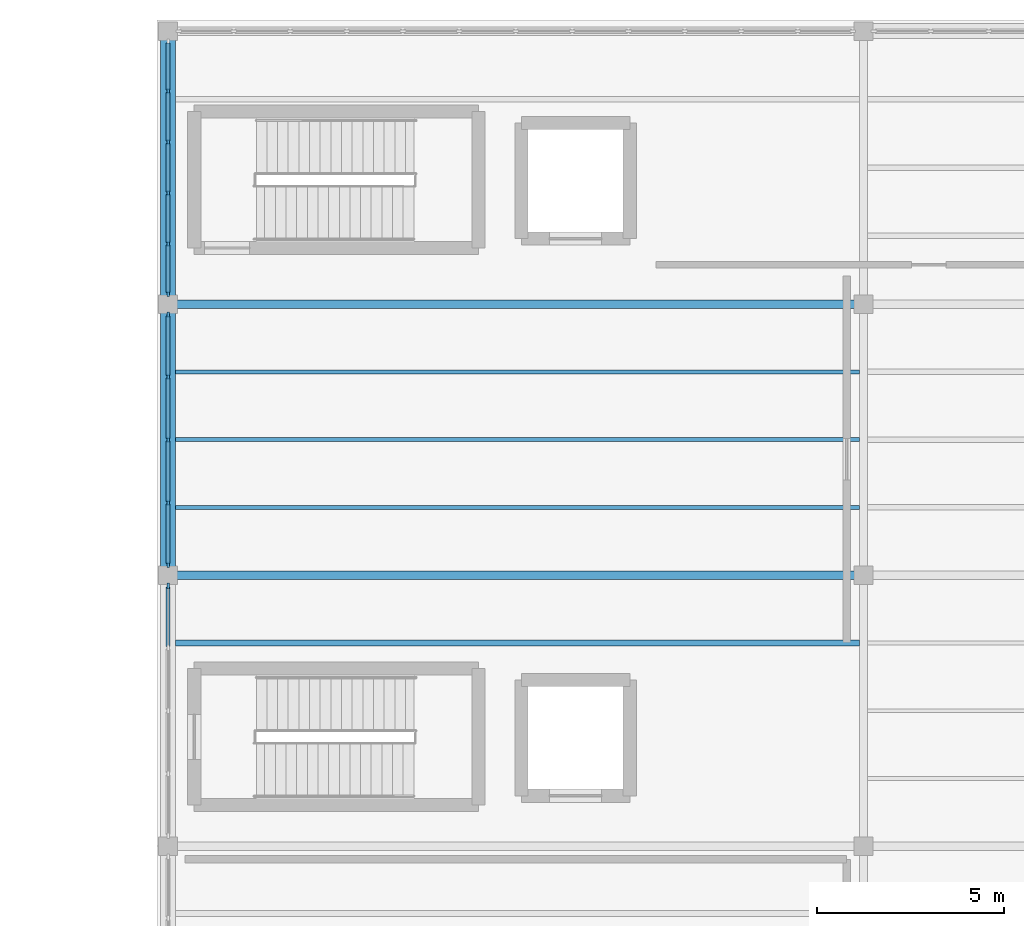
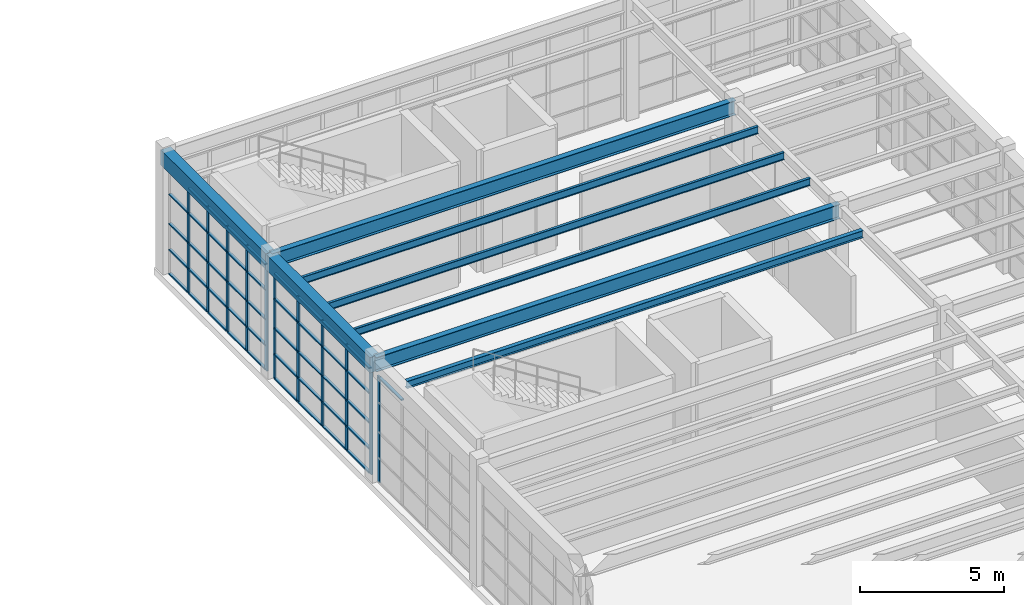
# One storey, part 57 of 103: 56 members, 8 beams, 3 elements without a shape of their own.
"""IFC4 building model written with IfcOpenShell, lengths in metres."""

from ifc_helpers import new_model, si_unit, direction, frame, origin, origin_2d, place, context, subcontext, project, spatial, rectangle, i_section, extrude, material, layer, layer_set, material_profile, profile_set, type_object, element, aggregate, save


model = new_model("IFC4")

# Units and contexts
model_context = context("Model", 3, precision=1e-05, world=origin(), true_north=direction((0.0, 1.0)))
body_context = subcontext(model_context, "Body", "Model", "MODEL_VIEW")
ifc_project = project(units=[si_unit("LENGTHUNIT", "METRE"), si_unit("AREAUNIT", "SQUARE_METRE"), si_unit("VOLUMEUNIT", "CUBIC_METRE"), si_unit("PLANEANGLEUNIT", "RADIAN"), si_unit("MASSUNIT", "GRAM", prefix="KILO")], contexts=[model_context])

# Site, building, storey
site_placement = place(None, origin())
site = spatial("IfcSite", under=ifc_project, at=site_placement, CompositionType="ELEMENT")
building_placement = place(site_placement, origin())
building = spatial("IfcBuilding", under=site, at=building_placement, Name="Candilejo Ridge Gondola Terminal", CompositionType="ELEMENT")
storey_placement = place(building_placement, frame((0.0, 0.0, 9.0)))
storey = spatial("IfcBuildingStorey", under=building, at=storey_placement, Name="L02", CompositionType="ELEMENT", Elevation=9.0)

# Curtain wall, member
ifc_material_1 = material(Name="Anodised aluminium AA 6063-T6", Category="aluminium")
ifc_layer_1 = layer(ifc_material_1, 0.169921875)
ifc_layer_set_1 = layer_set([ifc_layer_1], Name="ARC-CW-TOWER-3000-675X449")
curtain_wall_type_1 = type_object("IfcCurtainWallType", Name="ARC-CW-TOWER-3000-675X449", PredefinedType="NOTDEFINED", material=ifc_layer_set_1)
curtain_wall_1_placement = place(storey_placement, origin())
curtain_wall_1 = element("IfcCurtainWall", 1, at=curtain_wall_1_placement, inside=storey, type_object=curtain_wall_type_1, Name="Curtain wall V5 L02-186", PredefinedType="NOTDEFINED")
ifc_material_2 = material(Name="Anodised aluminium AA 6063-T6", Category="aluminium")
ifc_material_profile_1 = material_profile(ifc_material_2, rectangle(XDim=0.06494140625, YDim=0.14990234375, at=origin_2d()))
ifc_profile_set_1 = profile_set([ifc_material_profile_1], Name="Anodised aluminium AA 6063-T6")
member_type_1 = type_object("IfcMemberType", Name="ARC-CW-MULLION-150", PredefinedType="MULLION", material=ifc_profile_set_1)
member_1_placement = place(storey_placement, frame((150.0, 106.017578125, 0.0), z_axis=(0.0, 0.0, 1.0), x_axis=(-1.0, 0.0, 0.0)))
member_1 = element("IfcMember", 2, at=member_1_placement, type_object=member_type_1, Name="CW-67X44 mullion 5", PredefinedType="MULLION", context=body_context, shape_type="SweptSolid", body=[
    extrude(rectangle(XDim=0.06494140625, YDim=0.14990234375, at=origin_2d()), origin(), (0.0, 0.0, 1.0), 4.489990234375),
])

# Curtain wall, members
curtain_wall_2_placement = place(storey_placement, origin())
curtain_wall_2 = element("IfcCurtainWall", 3, at=curtain_wall_2_placement, inside=storey, type_object=curtain_wall_type_1, Name="Curtain wall V5 L02-188", PredefinedType="NOTDEFINED")
member_2_placement = place(storey_placement, frame((150.0, 106.58251953125, 0.0), z_axis=(0.0, 0.0, 1.0), x_axis=(-1.0, 0.0, 0.0)))
member_2 = element("IfcMember", 4, at=member_2_placement, type_object=member_type_1, Name="CW-67X44 mullion 1", PredefinedType="MULLION", context=body_context, shape_type="SweptSolid", body=[
    extrude(rectangle(XDim=0.06494140625, YDim=0.14990234375, at=origin_2d()), origin(), (0.0, 0.0, 1.0), 4.489990234375),
])
member_3_placement = place(storey_placement, frame((150.0, 108.237548828125, 0.0), z_axis=(0.0, 0.0, 1.0), x_axis=(-1.0, 0.0, 0.0)))
member_3 = element("IfcMember", 5, at=member_3_placement, type_object=member_type_1, Name="CW-67X44 mullion 2", PredefinedType="MULLION", context=body_context, shape_type="SweptSolid", body=[
    extrude(rectangle(XDim=0.06494140625, YDim=0.14990234375, at=origin_2d()), origin(), (0.0, 0.0, 1.0), 4.489990234375),
])
member_4_placement = place(storey_placement, frame((150.0, 109.925048828125, 0.0), z_axis=(0.0, 0.0, 1.0), x_axis=(-1.0, 0.0, 0.0)))
member_4 = element("IfcMember", 6, at=member_4_placement, type_object=member_type_1, Name="CW-67X44 mullion 3", PredefinedType="MULLION", context=body_context, shape_type="SweptSolid", body=[
    extrude(rectangle(XDim=0.06494140625, YDim=0.14990234375, at=origin_2d()), origin(), (0.0, 0.0, 1.0), 4.489990234375),
])
member_5_placement = place(storey_placement, frame((150.0, 111.612548828125, 0.0), z_axis=(0.0, 0.0, 1.0), x_axis=(-1.0, 0.0, 0.0)))
member_5 = element("IfcMember", 7, at=member_5_placement, type_object=member_type_1, Name="CW-67X44 mullion 4", PredefinedType="MULLION", context=body_context, shape_type="SweptSolid", body=[
    extrude(rectangle(XDim=0.06494140625, YDim=0.14990234375, at=origin_2d()), origin(), (0.0, 0.0, 1.0), 4.489990234375),
])
member_6_placement = place(storey_placement, frame((150.0, 113.267578125, 0.0), z_axis=(0.0, 0.0, 1.0), x_axis=(-1.0, 0.0, 0.0)))
member_6 = element("IfcMember", 8, at=member_6_placement, type_object=member_type_1, Name="CW-67X44 mullion 5", PredefinedType="MULLION", context=body_context, shape_type="SweptSolid", body=[
    extrude(rectangle(XDim=0.06494140625, YDim=0.14990234375, at=origin_2d()), origin(), (0.0, 0.0, 1.0), 4.489990234375),
])

ifc_material_3 = material(Name="Anodised aluminium AA 6063-T6", Category="aluminium")
ifc_layer_2 = layer(ifc_material_3, 0.169921875)
ifc_layer_set_2 = layer_set([ifc_layer_2], Name="ARC-CW-TOWER-3000-680X449")
curtain_wall_type_2 = type_object("IfcCurtainWallType", Name="ARC-CW-TOWER-3000-680X449", PredefinedType="NOTDEFINED", material=ifc_layer_set_2)
curtain_wall_3_placement = place(storey_placement, origin())
curtain_wall_3 = element("IfcCurtainWall", 9, at=curtain_wall_3_placement, inside=storey, type_object=curtain_wall_type_2, Name="Curtain wall V5 L02-190", PredefinedType="NOTDEFINED")
member_7_placement = place(storey_placement, frame((150.0, 113.83251953125, 0.0), z_axis=(0.0, 0.0, 1.0), x_axis=(-1.0, 0.0, 0.0)))
member_7 = element("IfcMember", 10, at=member_7_placement, type_object=member_type_1, Name="CW-68X44 mullion 1", PredefinedType="MULLION", context=body_context, shape_type="SweptSolid", body=[
    extrude(rectangle(XDim=0.06494140625, YDim=0.14990234375, at=origin_2d()), origin(), (0.0, 0.0, 1.0), 4.489990234375),
])
member_8_placement = place(storey_placement, frame((150.0, 115.159912109375, 0.0), z_axis=(0.0, 0.0, 1.0), x_axis=(-1.0, 0.0, 0.0)))
member_8 = element("IfcMember", 11, at=member_8_placement, type_object=member_type_1, Name="CW-68X44 mullion 2", PredefinedType="MULLION", context=body_context, shape_type="SweptSolid", body=[
    extrude(rectangle(XDim=0.06494140625, YDim=0.14990234375, at=origin_2d()), origin(), (0.0, 0.0, 1.0), 4.489990234375),
])
member_9_placement = place(storey_placement, frame((150.0, 116.52001953125, 0.0), z_axis=(0.0, 0.0, 1.0), x_axis=(-1.0, 0.0, 0.0)))
member_9 = element("IfcMember", 12, at=member_9_placement, type_object=member_type_1, Name="CW-68X44 mullion 3", PredefinedType="MULLION", context=body_context, shape_type="SweptSolid", body=[
    extrude(rectangle(XDim=0.06494140625, YDim=0.14990234375, at=origin_2d()), origin(), (0.0, 0.0, 1.0), 4.489990234375),
])
member_10_placement = place(storey_placement, frame((150.0, 117.8798828125, 0.0), z_axis=(0.0, 0.0, 1.0), x_axis=(-1.0, 0.0, 0.0)))
member_10 = element("IfcMember", 13, at=member_10_placement, type_object=member_type_1, Name="CW-68X44 mullion 4", PredefinedType="MULLION", context=body_context, shape_type="SweptSolid", body=[
    extrude(rectangle(XDim=0.06494140625, YDim=0.14990234375, at=origin_2d()), origin(), (0.0, 0.0, 1.0), 4.489990234375),
])
member_11_placement = place(storey_placement, frame((150.0, 119.239990234375, 0.0), z_axis=(0.0, 0.0, 1.0), x_axis=(-1.0, 0.0, 0.0)))
member_11 = element("IfcMember", 14, at=member_11_placement, type_object=member_type_1, Name="CW-68X44 mullion 5", PredefinedType="MULLION", context=body_context, shape_type="SweptSolid", body=[
    extrude(rectangle(XDim=0.06494140625, YDim=0.14990234375, at=origin_2d()), origin(), (0.0, 0.0, 1.0), 4.489990234375),
])

# Member
ifc_material_4 = material(Name="Anodised aluminium AA 6063-T6", Category="aluminium")
ifc_material_profile_2 = material_profile(ifc_material_4, rectangle(XDim=0.110107421875, YDim=0.06005859375, at=origin_2d()))
ifc_profile_set_2 = profile_set([ifc_material_profile_2], Name="Anodised aluminium AA 6063-T6")
member_type_2 = type_object("IfcMemberType", Name="ARC-CW-TRANSOM-110", PredefinedType="USERDEFINED", material=ifc_profile_set_2)
member_12_placement = place(storey_placement, frame((150.0, 104.39501953125, 4.4599609375), z_axis=(0.0, 1.0, 0.0), x_axis=(-1.0, 0.0, 0.0)))
member_12 = element("IfcMember", 15, at=member_12_placement, type_object=member_type_2, Name="CW-67X44 transom 4.5", ObjectType="TRANSOM", PredefinedType="USERDEFINED", context=body_context, shape_type="SweptSolid", body=[
    extrude(rectangle(XDim=0.110107421875, YDim=0.06005859375, at=origin_2d()), origin(), (0.0, 0.0, 1.0), 1.590087890625),
])

aggregate(curtain_wall_1, [member_1, member_12])

member_13_placement = place(storey_placement, frame((150.0, 106.614990234375, 0.030029296875), z_axis=(0.0, 1.0, 0.0), x_axis=(-1.0, 0.0, 0.0)))
member_13 = element("IfcMember", 16, at=member_13_placement, type_object=member_type_2, Name="CW-67X44 transom 1.1", ObjectType="TRANSOM", PredefinedType="USERDEFINED", context=body_context, shape_type="SweptSolid", body=[
    extrude(rectangle(XDim=0.110107421875, YDim=0.06005859375, at=origin_2d()), origin(), (0.0, 0.0, 1.0), 1.590087890625),
])

member_14_placement = place(storey_placement, frame((150.0, 106.614990234375, 1.050048828125), z_axis=(0.0, 1.0, 0.0), x_axis=(-1.0, 0.0, 0.0)))
member_14 = element("IfcMember", 17, at=member_14_placement, type_object=member_type_2, Name="CW-67X44 transom 1.2", ObjectType="TRANSOM", PredefinedType="USERDEFINED", context=body_context, shape_type="SweptSolid", body=[
    extrude(rectangle(XDim=0.110107421875, YDim=0.06005859375, at=origin_2d()), origin(), (0.0, 0.0, 1.0), 1.590087890625),
])

member_15_placement = place(storey_placement, frame((150.0, 106.614990234375, 2.14990234375), z_axis=(0.0, 1.0, 0.0), x_axis=(-1.0, 0.0, 0.0)))
member_15 = element("IfcMember", 18, at=member_15_placement, type_object=member_type_2, Name="CW-67X44 transom 1.3", ObjectType="TRANSOM", PredefinedType="USERDEFINED", context=body_context, shape_type="SweptSolid", body=[
    extrude(rectangle(XDim=0.110107421875, YDim=0.06005859375, at=origin_2d()), origin(), (0.0, 0.0, 1.0), 1.590087890625),
])

member_16_placement = place(storey_placement, frame((150.0, 106.614990234375, 3.39990234375), z_axis=(0.0, 1.0, 0.0), x_axis=(-1.0, 0.0, 0.0)))
member_16 = element("IfcMember", 19, at=member_16_placement, type_object=member_type_2, Name="CW-67X44 transom 1.4", ObjectType="TRANSOM", PredefinedType="USERDEFINED", context=body_context, shape_type="SweptSolid", body=[
    extrude(rectangle(XDim=0.110107421875, YDim=0.06005859375, at=origin_2d()), origin(), (0.0, 0.0, 1.0), 1.590087890625),
])

member_17_placement = place(storey_placement, frame((150.0, 106.614990234375, 4.4599609375), z_axis=(0.0, 1.0, 0.0), x_axis=(-1.0, 0.0, 0.0)))
member_17 = element("IfcMember", 20, at=member_17_placement, type_object=member_type_2, Name="CW-67X44 transom 1.5", ObjectType="TRANSOM", PredefinedType="USERDEFINED", context=body_context, shape_type="SweptSolid", body=[
    extrude(rectangle(XDim=0.110107421875, YDim=0.06005859375, at=origin_2d()), origin(), (0.0, 0.0, 1.0), 1.590087890625),
])

member_18_placement = place(storey_placement, frame((150.0, 108.27001953125, 0.030029296875), z_axis=(0.0, 1.0, 0.0), x_axis=(-1.0, 0.0, 0.0)))
member_18 = element("IfcMember", 21, at=member_18_placement, type_object=member_type_2, Name="CW-67X44 transom 2.1", ObjectType="TRANSOM", PredefinedType="USERDEFINED", context=body_context, shape_type="SweptSolid", body=[
    extrude(rectangle(XDim=0.110107421875, YDim=0.06005859375, at=origin_2d()), origin(), (0.0, 0.0, 1.0), 1.62255859375),
])

member_19_placement = place(storey_placement, frame((150.0, 108.27001953125, 1.050048828125), z_axis=(0.0, 1.0, 0.0), x_axis=(-1.0, 0.0, 0.0)))
member_19 = element("IfcMember", 22, at=member_19_placement, type_object=member_type_2, Name="CW-67X44 transom 2.2", ObjectType="TRANSOM", PredefinedType="USERDEFINED", context=body_context, shape_type="SweptSolid", body=[
    extrude(rectangle(XDim=0.110107421875, YDim=0.06005859375, at=origin_2d()), origin(), (0.0, 0.0, 1.0), 1.62255859375),
])

member_20_placement = place(storey_placement, frame((150.0, 108.27001953125, 2.14990234375), z_axis=(0.0, 1.0, 0.0), x_axis=(-1.0, 0.0, 0.0)))
member_20 = element("IfcMember", 23, at=member_20_placement, type_object=member_type_2, Name="CW-67X44 transom 2.3", ObjectType="TRANSOM", PredefinedType="USERDEFINED", context=body_context, shape_type="SweptSolid", body=[
    extrude(rectangle(XDim=0.110107421875, YDim=0.06005859375, at=origin_2d()), origin(), (0.0, 0.0, 1.0), 1.62255859375),
])

member_21_placement = place(storey_placement, frame((150.0, 108.27001953125, 3.39990234375), z_axis=(0.0, 1.0, 0.0), x_axis=(-1.0, 0.0, 0.0)))
member_21 = element("IfcMember", 24, at=member_21_placement, type_object=member_type_2, Name="CW-67X44 transom 2.4", ObjectType="TRANSOM", PredefinedType="USERDEFINED", context=body_context, shape_type="SweptSolid", body=[
    extrude(rectangle(XDim=0.110107421875, YDim=0.06005859375, at=origin_2d()), origin(), (0.0, 0.0, 1.0), 1.62255859375),
])

member_22_placement = place(storey_placement, frame((150.0, 108.27001953125, 4.4599609375), z_axis=(0.0, 1.0, 0.0), x_axis=(-1.0, 0.0, 0.0)))
member_22 = element("IfcMember", 25, at=member_22_placement, type_object=member_type_2, Name="CW-67X44 transom 2.5", ObjectType="TRANSOM", PredefinedType="USERDEFINED", context=body_context, shape_type="SweptSolid", body=[
    extrude(rectangle(XDim=0.110107421875, YDim=0.06005859375, at=origin_2d()), origin(), (0.0, 0.0, 1.0), 1.62255859375),
])

member_23_placement = place(storey_placement, frame((150.0, 109.95751953125, 0.030029296875), z_axis=(0.0, 1.0, 0.0), x_axis=(-1.0, 0.0, 0.0)))
member_23 = element("IfcMember", 26, at=member_23_placement, type_object=member_type_2, Name="CW-67X44 transom 3.1", ObjectType="TRANSOM", PredefinedType="USERDEFINED", context=body_context, shape_type="SweptSolid", body=[
    extrude(rectangle(XDim=0.110107421875, YDim=0.06005859375, at=origin_2d()), origin(), (0.0, 0.0, 1.0), 1.62255859375),
])

member_24_placement = place(storey_placement, frame((150.0, 109.95751953125, 1.050048828125), z_axis=(0.0, 1.0, 0.0), x_axis=(-1.0, 0.0, 0.0)))
member_24 = element("IfcMember", 27, at=member_24_placement, type_object=member_type_2, Name="CW-67X44 transom 3.2", ObjectType="TRANSOM", PredefinedType="USERDEFINED", context=body_context, shape_type="SweptSolid", body=[
    extrude(rectangle(XDim=0.110107421875, YDim=0.06005859375, at=origin_2d()), origin(), (0.0, 0.0, 1.0), 1.62255859375),
])

member_25_placement = place(storey_placement, frame((150.0, 109.95751953125, 2.14990234375), z_axis=(0.0, 1.0, 0.0), x_axis=(-1.0, 0.0, 0.0)))
member_25 = element("IfcMember", 28, at=member_25_placement, type_object=member_type_2, Name="CW-67X44 transom 3.3", ObjectType="TRANSOM", PredefinedType="USERDEFINED", context=body_context, shape_type="SweptSolid", body=[
    extrude(rectangle(XDim=0.110107421875, YDim=0.06005859375, at=origin_2d()), origin(), (0.0, 0.0, 1.0), 1.62255859375),
])

member_26_placement = place(storey_placement, frame((150.0, 109.95751953125, 3.39990234375), z_axis=(0.0, 1.0, 0.0), x_axis=(-1.0, 0.0, 0.0)))
member_26 = element("IfcMember", 29, at=member_26_placement, type_object=member_type_2, Name="CW-67X44 transom 3.4", ObjectType="TRANSOM", PredefinedType="USERDEFINED", context=body_context, shape_type="SweptSolid", body=[
    extrude(rectangle(XDim=0.110107421875, YDim=0.06005859375, at=origin_2d()), origin(), (0.0, 0.0, 1.0), 1.62255859375),
])

member_27_placement = place(storey_placement, frame((150.0, 109.95751953125, 4.4599609375), z_axis=(0.0, 1.0, 0.0), x_axis=(-1.0, 0.0, 0.0)))
member_27 = element("IfcMember", 30, at=member_27_placement, type_object=member_type_2, Name="CW-67X44 transom 3.5", ObjectType="TRANSOM", PredefinedType="USERDEFINED", context=body_context, shape_type="SweptSolid", body=[
    extrude(rectangle(XDim=0.110107421875, YDim=0.06005859375, at=origin_2d()), origin(), (0.0, 0.0, 1.0), 1.62255859375),
])

member_28_placement = place(storey_placement, frame((150.0, 111.64501953125, 0.030029296875), z_axis=(0.0, 1.0, 0.0), x_axis=(-1.0, 0.0, 0.0)))
member_28 = element("IfcMember", 31, at=member_28_placement, type_object=member_type_2, Name="CW-67X44 transom 4.1", ObjectType="TRANSOM", PredefinedType="USERDEFINED", context=body_context, shape_type="SweptSolid", body=[
    extrude(rectangle(XDim=0.110107421875, YDim=0.06005859375, at=origin_2d()), origin(), (0.0, 0.0, 1.0), 1.590087890625),
])

member_29_placement = place(storey_placement, frame((150.0, 111.64501953125, 1.050048828125), z_axis=(0.0, 1.0, 0.0), x_axis=(-1.0, 0.0, 0.0)))
member_29 = element("IfcMember", 32, at=member_29_placement, type_object=member_type_2, Name="CW-67X44 transom 4.2", ObjectType="TRANSOM", PredefinedType="USERDEFINED", context=body_context, shape_type="SweptSolid", body=[
    extrude(rectangle(XDim=0.110107421875, YDim=0.06005859375, at=origin_2d()), origin(), (0.0, 0.0, 1.0), 1.590087890625),
])

member_30_placement = place(storey_placement, frame((150.0, 111.64501953125, 2.14990234375), z_axis=(0.0, 1.0, 0.0), x_axis=(-1.0, 0.0, 0.0)))
member_30 = element("IfcMember", 33, at=member_30_placement, type_object=member_type_2, Name="CW-67X44 transom 4.3", ObjectType="TRANSOM", PredefinedType="USERDEFINED", context=body_context, shape_type="SweptSolid", body=[
    extrude(rectangle(XDim=0.110107421875, YDim=0.06005859375, at=origin_2d()), origin(), (0.0, 0.0, 1.0), 1.590087890625),
])

member_31_placement = place(storey_placement, frame((150.0, 111.64501953125, 3.39990234375), z_axis=(0.0, 1.0, 0.0), x_axis=(-1.0, 0.0, 0.0)))
member_31 = element("IfcMember", 34, at=member_31_placement, type_object=member_type_2, Name="CW-67X44 transom 4.4", ObjectType="TRANSOM", PredefinedType="USERDEFINED", context=body_context, shape_type="SweptSolid", body=[
    extrude(rectangle(XDim=0.110107421875, YDim=0.06005859375, at=origin_2d()), origin(), (0.0, 0.0, 1.0), 1.590087890625),
])

member_32_placement = place(storey_placement, frame((150.0, 111.64501953125, 4.4599609375), z_axis=(0.0, 1.0, 0.0), x_axis=(-1.0, 0.0, 0.0)))
member_32 = element("IfcMember", 35, at=member_32_placement, type_object=member_type_2, Name="CW-67X44 transom 4.5", ObjectType="TRANSOM", PredefinedType="USERDEFINED", context=body_context, shape_type="SweptSolid", body=[
    extrude(rectangle(XDim=0.110107421875, YDim=0.06005859375, at=origin_2d()), origin(), (0.0, 0.0, 1.0), 1.590087890625),
])

aggregate(curtain_wall_2, [member_2, member_3, member_4, member_5, member_6, member_13, member_14, member_15, member_16, member_17, member_18, member_19, member_20, member_21, member_22, member_23, member_24, member_25, member_26, member_27, member_28, member_29, member_30, member_31, member_32])

member_33_placement = place(storey_placement, frame((150.0, 113.864990234375, 0.030029296875), z_axis=(0.0, 1.0, 0.0), x_axis=(-1.0, 0.0, 0.0)))
member_33 = element("IfcMember", 36, at=member_33_placement, type_object=member_type_2, Name="CW-68X44 transom 1.1", ObjectType="TRANSOM", PredefinedType="USERDEFINED", context=body_context, shape_type="SweptSolid", body=[
    extrude(rectangle(XDim=0.110107421875, YDim=0.06005859375, at=origin_2d()), origin(), (0.0, 0.0, 1.0), 1.262451171875),
])

member_34_placement = place(storey_placement, frame((150.0, 113.864990234375, 1.050048828125), z_axis=(0.0, 1.0, 0.0), x_axis=(-1.0, 0.0, 0.0)))
member_34 = element("IfcMember", 37, at=member_34_placement, type_object=member_type_2, Name="CW-68X44 transom 1.2", ObjectType="TRANSOM", PredefinedType="USERDEFINED", context=body_context, shape_type="SweptSolid", body=[
    extrude(rectangle(XDim=0.110107421875, YDim=0.06005859375, at=origin_2d()), origin(), (0.0, 0.0, 1.0), 1.262451171875),
])

member_35_placement = place(storey_placement, frame((150.0, 113.864990234375, 2.14990234375), z_axis=(0.0, 1.0, 0.0), x_axis=(-1.0, 0.0, 0.0)))
member_35 = element("IfcMember", 38, at=member_35_placement, type_object=member_type_2, Name="CW-68X44 transom 1.3", ObjectType="TRANSOM", PredefinedType="USERDEFINED", context=body_context, shape_type="SweptSolid", body=[
    extrude(rectangle(XDim=0.110107421875, YDim=0.06005859375, at=origin_2d()), origin(), (0.0, 0.0, 1.0), 1.262451171875),
])

member_36_placement = place(storey_placement, frame((150.0, 113.864990234375, 3.39990234375), z_axis=(0.0, 1.0, 0.0), x_axis=(-1.0, 0.0, 0.0)))
member_36 = element("IfcMember", 39, at=member_36_placement, type_object=member_type_2, Name="CW-68X44 transom 1.4", ObjectType="TRANSOM", PredefinedType="USERDEFINED", context=body_context, shape_type="SweptSolid", body=[
    extrude(rectangle(XDim=0.110107421875, YDim=0.06005859375, at=origin_2d()), origin(), (0.0, 0.0, 1.0), 1.262451171875),
])

member_37_placement = place(storey_placement, frame((150.0, 113.864990234375, 4.4599609375), z_axis=(0.0, 1.0, 0.0), x_axis=(-1.0, 0.0, 0.0)))
member_37 = element("IfcMember", 40, at=member_37_placement, type_object=member_type_2, Name="CW-68X44 transom 1.5", ObjectType="TRANSOM", PredefinedType="USERDEFINED", context=body_context, shape_type="SweptSolid", body=[
    extrude(rectangle(XDim=0.110107421875, YDim=0.06005859375, at=origin_2d()), origin(), (0.0, 0.0, 1.0), 1.262451171875),
])

member_38_placement = place(storey_placement, frame((150.0, 115.1923828125, 0.030029296875), z_axis=(0.0, 1.0, 0.0), x_axis=(-1.0, 0.0, 0.0)))
member_38 = element("IfcMember", 41, at=member_38_placement, type_object=member_type_2, Name="CW-68X44 transom 2.1", ObjectType="TRANSOM", PredefinedType="USERDEFINED", context=body_context, shape_type="SweptSolid", body=[
    extrude(rectangle(XDim=0.110107421875, YDim=0.06005859375, at=origin_2d()), origin(), (0.0, 0.0, 1.0), 1.295166015625),
])

member_39_placement = place(storey_placement, frame((150.0, 115.1923828125, 1.050048828125), z_axis=(0.0, 1.0, 0.0), x_axis=(-1.0, 0.0, 0.0)))
member_39 = element("IfcMember", 42, at=member_39_placement, type_object=member_type_2, Name="CW-68X44 transom 2.2", ObjectType="TRANSOM", PredefinedType="USERDEFINED", context=body_context, shape_type="SweptSolid", body=[
    extrude(rectangle(XDim=0.110107421875, YDim=0.06005859375, at=origin_2d()), origin(), (0.0, 0.0, 1.0), 1.295166015625),
])

member_40_placement = place(storey_placement, frame((150.0, 115.1923828125, 2.14990234375), z_axis=(0.0, 1.0, 0.0), x_axis=(-1.0, 0.0, 0.0)))
member_40 = element("IfcMember", 43, at=member_40_placement, type_object=member_type_2, Name="CW-68X44 transom 2.3", ObjectType="TRANSOM", PredefinedType="USERDEFINED", context=body_context, shape_type="SweptSolid", body=[
    extrude(rectangle(XDim=0.110107421875, YDim=0.06005859375, at=origin_2d()), origin(), (0.0, 0.0, 1.0), 1.295166015625),
])

member_41_placement = place(storey_placement, frame((150.0, 115.1923828125, 3.39990234375), z_axis=(0.0, 1.0, 0.0), x_axis=(-1.0, 0.0, 0.0)))
member_41 = element("IfcMember", 44, at=member_41_placement, type_object=member_type_2, Name="CW-68X44 transom 2.4", ObjectType="TRANSOM", PredefinedType="USERDEFINED", context=body_context, shape_type="SweptSolid", body=[
    extrude(rectangle(XDim=0.110107421875, YDim=0.06005859375, at=origin_2d()), origin(), (0.0, 0.0, 1.0), 1.295166015625),
])

member_42_placement = place(storey_placement, frame((150.0, 115.1923828125, 4.4599609375), z_axis=(0.0, 1.0, 0.0), x_axis=(-1.0, 0.0, 0.0)))
member_42 = element("IfcMember", 45, at=member_42_placement, type_object=member_type_2, Name="CW-68X44 transom 2.5", ObjectType="TRANSOM", PredefinedType="USERDEFINED", context=body_context, shape_type="SweptSolid", body=[
    extrude(rectangle(XDim=0.110107421875, YDim=0.06005859375, at=origin_2d()), origin(), (0.0, 0.0, 1.0), 1.295166015625),
])

member_43_placement = place(storey_placement, frame((150.0, 116.552490234375, 0.030029296875), z_axis=(0.0, 1.0, 0.0), x_axis=(-1.0, 0.0, 0.0)))
member_43 = element("IfcMember", 46, at=member_43_placement, type_object=member_type_2, Name="CW-68X44 transom 3.1", ObjectType="TRANSOM", PredefinedType="USERDEFINED", context=body_context, shape_type="SweptSolid", body=[
    extrude(rectangle(XDim=0.110107421875, YDim=0.06005859375, at=origin_2d()), origin(), (0.0, 0.0, 1.0), 1.294921875),
])

member_44_placement = place(storey_placement, frame((150.0, 116.552490234375, 1.050048828125), z_axis=(0.0, 1.0, 0.0), x_axis=(-1.0, 0.0, 0.0)))
member_44 = element("IfcMember", 47, at=member_44_placement, type_object=member_type_2, Name="CW-68X44 transom 3.2", ObjectType="TRANSOM", PredefinedType="USERDEFINED", context=body_context, shape_type="SweptSolid", body=[
    extrude(rectangle(XDim=0.110107421875, YDim=0.06005859375, at=origin_2d()), origin(), (0.0, 0.0, 1.0), 1.294921875),
])

member_45_placement = place(storey_placement, frame((150.0, 116.552490234375, 2.14990234375), z_axis=(0.0, 1.0, 0.0), x_axis=(-1.0, 0.0, 0.0)))
member_45 = element("IfcMember", 48, at=member_45_placement, type_object=member_type_2, Name="CW-68X44 transom 3.3", ObjectType="TRANSOM", PredefinedType="USERDEFINED", context=body_context, shape_type="SweptSolid", body=[
    extrude(rectangle(XDim=0.110107421875, YDim=0.06005859375, at=origin_2d()), origin(), (0.0, 0.0, 1.0), 1.294921875),
])

member_46_placement = place(storey_placement, frame((150.0, 116.552490234375, 3.39990234375), z_axis=(0.0, 1.0, 0.0), x_axis=(-1.0, 0.0, 0.0)))
member_46 = element("IfcMember", 49, at=member_46_placement, type_object=member_type_2, Name="CW-68X44 transom 3.4", ObjectType="TRANSOM", PredefinedType="USERDEFINED", context=body_context, shape_type="SweptSolid", body=[
    extrude(rectangle(XDim=0.110107421875, YDim=0.06005859375, at=origin_2d()), origin(), (0.0, 0.0, 1.0), 1.294921875),
])

member_47_placement = place(storey_placement, frame((150.0, 116.552490234375, 4.4599609375), z_axis=(0.0, 1.0, 0.0), x_axis=(-1.0, 0.0, 0.0)))
member_47 = element("IfcMember", 50, at=member_47_placement, type_object=member_type_2, Name="CW-68X44 transom 3.5", ObjectType="TRANSOM", PredefinedType="USERDEFINED", context=body_context, shape_type="SweptSolid", body=[
    extrude(rectangle(XDim=0.110107421875, YDim=0.06005859375, at=origin_2d()), origin(), (0.0, 0.0, 1.0), 1.294921875),
])

member_48_placement = place(storey_placement, frame((150.0, 117.91259765625, 0.030029296875), z_axis=(0.0, 1.0, 0.0), x_axis=(-1.0, 0.0, 0.0)))
member_48 = element("IfcMember", 51, at=member_48_placement, type_object=member_type_2, Name="CW-68X44 transom 4.1", ObjectType="TRANSOM", PredefinedType="USERDEFINED", context=body_context, shape_type="SweptSolid", body=[
    extrude(rectangle(XDim=0.110107421875, YDim=0.06005859375, at=origin_2d()), origin(), (0.0, 0.0, 1.0), 1.294921875),
])

member_49_placement = place(storey_placement, frame((150.0, 117.91259765625, 1.050048828125), z_axis=(0.0, 1.0, 0.0), x_axis=(-1.0, 0.0, 0.0)))
member_49 = element("IfcMember", 52, at=member_49_placement, type_object=member_type_2, Name="CW-68X44 transom 4.2", ObjectType="TRANSOM", PredefinedType="USERDEFINED", context=body_context, shape_type="SweptSolid", body=[
    extrude(rectangle(XDim=0.110107421875, YDim=0.06005859375, at=origin_2d()), origin(), (0.0, 0.0, 1.0), 1.294921875),
])

member_50_placement = place(storey_placement, frame((150.0, 117.91259765625, 2.14990234375), z_axis=(0.0, 1.0, 0.0), x_axis=(-1.0, 0.0, 0.0)))
member_50 = element("IfcMember", 53, at=member_50_placement, type_object=member_type_2, Name="CW-68X44 transom 4.3", ObjectType="TRANSOM", PredefinedType="USERDEFINED", context=body_context, shape_type="SweptSolid", body=[
    extrude(rectangle(XDim=0.110107421875, YDim=0.06005859375, at=origin_2d()), origin(), (0.0, 0.0, 1.0), 1.294921875),
])

member_51_placement = place(storey_placement, frame((150.0, 117.91259765625, 3.39990234375), z_axis=(0.0, 1.0, 0.0), x_axis=(-1.0, 0.0, 0.0)))
member_51 = element("IfcMember", 54, at=member_51_placement, type_object=member_type_2, Name="CW-68X44 transom 4.4", ObjectType="TRANSOM", PredefinedType="USERDEFINED", context=body_context, shape_type="SweptSolid", body=[
    extrude(rectangle(XDim=0.110107421875, YDim=0.06005859375, at=origin_2d()), origin(), (0.0, 0.0, 1.0), 1.294921875),
])

member_52_placement = place(storey_placement, frame((150.0, 117.91259765625, 4.4599609375), z_axis=(0.0, 1.0, 0.0), x_axis=(-1.0, 0.0, 0.0)))
member_52 = element("IfcMember", 55, at=member_52_placement, type_object=member_type_2, Name="CW-68X44 transom 4.5", ObjectType="TRANSOM", PredefinedType="USERDEFINED", context=body_context, shape_type="SweptSolid", body=[
    extrude(rectangle(XDim=0.110107421875, YDim=0.06005859375, at=origin_2d()), origin(), (0.0, 0.0, 1.0), 1.294921875),
])

member_53_placement = place(storey_placement, frame((150.0, 119.2724609375, 0.030029296875), z_axis=(0.0, 1.0, 0.0), x_axis=(-1.0, 0.0, 0.0)))
member_53 = element("IfcMember", 56, at=member_53_placement, type_object=member_type_2, Name="CW-68X44 transom 5.1", ObjectType="TRANSOM", PredefinedType="USERDEFINED", context=body_context, shape_type="SweptSolid", body=[
    extrude(rectangle(XDim=0.110107421875, YDim=0.06005859375, at=origin_2d()), origin(), (0.0, 0.0, 1.0), 1.262451171875),
])

member_54_placement = place(storey_placement, frame((150.0, 119.2724609375, 1.050048828125), z_axis=(0.0, 1.0, 0.0), x_axis=(-1.0, 0.0, 0.0)))
member_54 = element("IfcMember", 57, at=member_54_placement, type_object=member_type_2, Name="CW-68X44 transom 5.2", ObjectType="TRANSOM", PredefinedType="USERDEFINED", context=body_context, shape_type="SweptSolid", body=[
    extrude(rectangle(XDim=0.110107421875, YDim=0.06005859375, at=origin_2d()), origin(), (0.0, 0.0, 1.0), 1.262451171875),
])

member_55_placement = place(storey_placement, frame((150.0, 119.2724609375, 2.14990234375), z_axis=(0.0, 1.0, 0.0), x_axis=(-1.0, 0.0, 0.0)))
member_55 = element("IfcMember", 58, at=member_55_placement, type_object=member_type_2, Name="CW-68X44 transom 5.3", ObjectType="TRANSOM", PredefinedType="USERDEFINED", context=body_context, shape_type="SweptSolid", body=[
    extrude(rectangle(XDim=0.110107421875, YDim=0.06005859375, at=origin_2d()), origin(), (0.0, 0.0, 1.0), 1.262451171875),
])

member_56_placement = place(storey_placement, frame((150.0, 119.2724609375, 3.39990234375), z_axis=(0.0, 1.0, 0.0), x_axis=(-1.0, 0.0, 0.0)))
member_56 = element("IfcMember", 59, at=member_56_placement, type_object=member_type_2, Name="CW-68X44 transom 5.4", ObjectType="TRANSOM", PredefinedType="USERDEFINED", context=body_context, shape_type="SweptSolid", body=[
    extrude(rectangle(XDim=0.110107421875, YDim=0.06005859375, at=origin_2d()), origin(), (0.0, 0.0, 1.0), 1.262451171875),
])

aggregate(curtain_wall_3, [member_7, member_8, member_9, member_10, member_11, member_33, member_34, member_35, member_36, member_37, member_38, member_39, member_40, member_41, member_42, member_43, member_44, member_45, member_46, member_47, member_48, member_49, member_50, member_51, member_52, member_53, member_54, member_55, member_56])

# Beams
ifc_material_5 = material(Name="Steel ASTM A992 Grade 50", Category="steel")
ifc_material_profile_3 = material_profile(ifc_material_5, i_section(OverallWidth=0.22900390625, OverallDepth=0.612060546875, WebThickness=0.011962890625, FlangeThickness=0.01953125, at=origin_2d()))
ifc_profile_set_3 = profile_set([ifc_material_profile_3], Name="Steel ASTM A992 Grade 50")
beam_type_1 = type_object("IfcBeamType", Name="STR-BM-W610X125", PredefinedType="BEAM", material=ifc_profile_set_3)
for number, where, z_axis, x_axis, name in (
    (60, (150.0, 106.300048828125, 4.85400390625), (1.0, 0.0, 0.0), (0.0, 1.0, 0.0), "Beam X V5 L02 X23-X25@Y18"),
    (61, (150.0, 113.550048828125, 4.85400390625), (1.0, 0.0, 0.0), (0.0, 1.0, 0.0), "Beam X V5 L02 X23-X25@Y19"),
):
    element("IfcBeam", number, at=place(storey_placement, frame(where, z_axis=z_axis, x_axis=x_axis)), inside=storey, type_object=beam_type_1, Name=name, PredefinedType="BEAM", context=body_context, shape_type="SweptSolid", body=[
        extrude(i_section(OverallWidth=0.22900390625, OverallDepth=0.612060546875, WebThickness=0.011962890625, FlangeThickness=0.01953125, at=origin_2d()), origin(), (0.0, 0.0, 1.0), 18.60009765625),
    ])
ifc_material_6 = material(Name="Steel ASTM A992 Grade 50", Category="steel")
ifc_material_profile_4 = material_profile(ifc_material_6, i_section(OverallWidth=0.10205078125, OverallDepth=0.31298828125, WebThickness=0.006591796875, FlangeThickness=0.0107421875, at=origin_2d()))
ifc_profile_set_4 = profile_set([ifc_material_profile_4], Name="Steel ASTM A992 Grade 50")
beam_type_2 = type_object("IfcBeamType", Name="STR-JST-W310X33", PredefinedType="JOIST", material=ifc_profile_set_4)
for number, where, z_axis, x_axis, name in (
    (62, (150.199951171875, 108.112548828125, 5.00341796875), (1.0, 0.0, 0.0), (0.0, 1.0, 0.0), "Composite joist V5 L02-1319"),
    (63, (150.199951171875, 109.925048828125, 5.00341796875), (1.0, 0.0, 0.0), (0.0, 1.0, 0.0), "Composite joist V5 L02-1320"),
    (64, (150.199951171875, 111.737548828125, 5.00341796875), (1.0, 0.0, 0.0), (0.0, 1.0, 0.0), "Composite joist V5 L02-1321"),
):
    element("IfcBeam", number, at=place(storey_placement, frame(where, z_axis=z_axis, x_axis=x_axis)), inside=storey, type_object=beam_type_2, Name=name, PredefinedType="JOIST", context=body_context, shape_type="SweptSolid", body=[
        extrude(i_section(OverallWidth=0.10205078125, OverallDepth=0.31298828125, WebThickness=0.006591796875, FlangeThickness=0.0107421875, at=origin_2d()), origin(), (0.0, 0.0, 1.0), 18.295654296875),
    ])
ifc_material_7 = material(Name="Steel ASTM A992 Grade 50", Category="steel")
ifc_material_profile_5 = material_profile(ifc_material_7, i_section(OverallWidth=0.1650390625, OverallDepth=0.31005859375, WebThickness=0.005859375, FlangeThickness=0.009765625, at=origin_2d()))
ifc_profile_set_5 = profile_set([ifc_material_profile_5], Name="Steel ASTM A992 Grade 50")
beam_type_3 = type_object("IfcBeamType", Name="STR-JST-W310X39", PredefinedType="JOIST", material=ifc_profile_set_5)
beam_1_placement = place(storey_placement, frame((150.199951171875, 104.487548828125, 5.0048828125), z_axis=(1.0, 0.0, 0.0), x_axis=(0.0, 1.0, 0.0)))
element("IfcBeam", 65, at=beam_1_placement, inside=storey, type_object=beam_type_3, Name="Composite joist V5 L02-1318", PredefinedType="JOIST", context=body_context, shape_type="SweptSolid", body=[
    extrude(i_section(OverallWidth=0.1650390625, OverallDepth=0.31005859375, WebThickness=0.005859375, FlangeThickness=0.009765625, at=origin_2d()), origin(), (0.0, 0.0, 1.0), 18.295654296875),
])
ifc_material_8 = material(Name="Concrete f'c 35 MPa (C35/45)", Category="concrete")
ifc_material_profile_6 = material_profile(ifc_material_8, rectangle(XDim=0.39990234375, YDim=0.64990234375, at=origin_2d()))
ifc_profile_set_6 = profile_set([ifc_material_profile_6], Name="Concrete f'c 35 MPa (C35/45)")
beam_type_4 = type_object("IfcBeamType", Name="STR-SPN-RC400X650", PredefinedType="SPANDREL", material=ifc_profile_set_6)
beam_2_placement = place(storey_placement, frame((150.0, 106.300048828125, 4.8349609375), z_axis=(0.0, 1.0, 0.0), x_axis=(-1.0, 0.0, 0.0)))
element("IfcBeam", 66, at=beam_2_placement, inside=storey, type_object=beam_type_4, Name="Beam Y V5 L02 Y18-Y19@X23", PredefinedType="SPANDREL", context=body_context, shape_type="SweptSolid", body=[
    extrude(rectangle(XDim=0.39990234375, YDim=0.64990234375, at=origin_2d()), origin(), (0.0, 0.0, 1.0), 7.25),
])
beam_3_placement = place(storey_placement, frame((150.0, 113.550048828125, 4.8349609375), z_axis=(0.0, 1.0, 0.0), x_axis=(-1.0, 0.0, 0.0)))
element("IfcBeam", 67, at=beam_3_placement, inside=storey, type_object=beam_type_4, Name="Beam Y V5 L02 Y19-Y20@X23", PredefinedType="SPANDREL", context=body_context, shape_type="SweptSolid", body=[
    extrude(rectangle(XDim=0.39990234375, YDim=0.64990234375, at=origin_2d()), origin(), (0.0, 0.0, 1.0), 7.300048828125),
])

save(model, "model.ifc")
